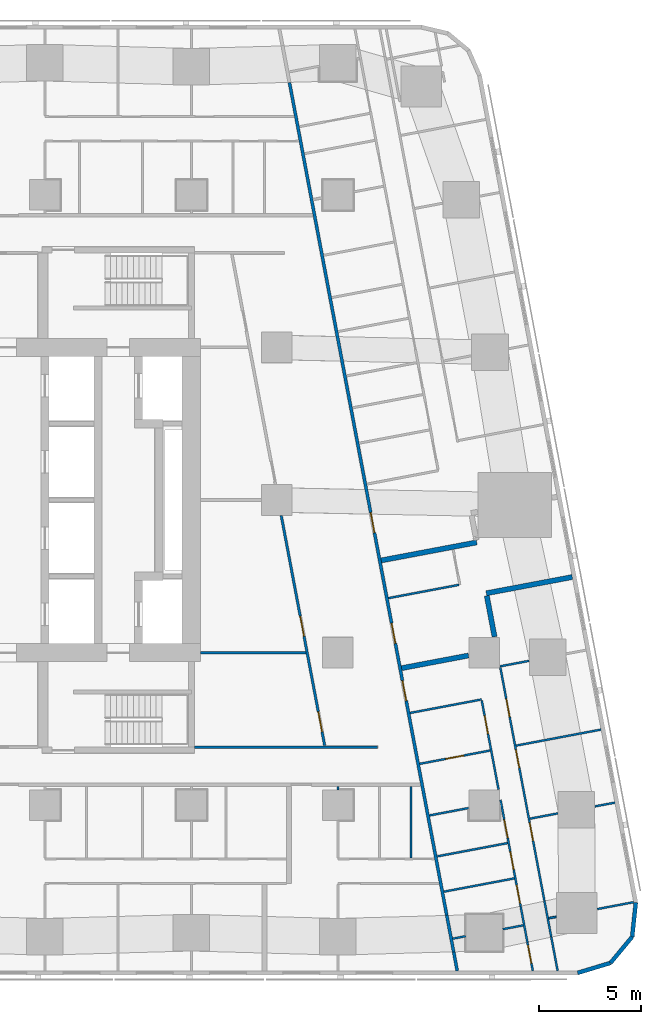
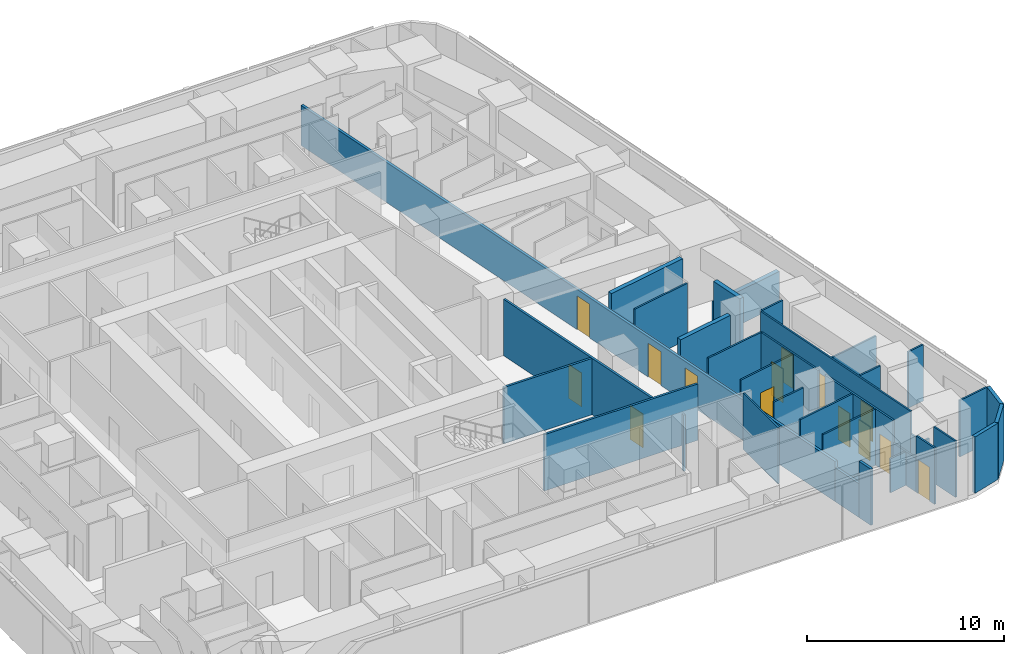
# One storey, part 7 of 15: 36 walls, 14 doors, 14 openings.
"""IFC4 building model written with IfcOpenShell, lengths in metres."""

from ifc_helpers import new_model, si_unit, direction, frame, frame_2d, origin, place, context, subcontext, project, spatial, rectangle, extrude, material, layer, layer_set, type_object, element, fill, save


model = new_model("IFC4")

# Units and contexts
model_context = context("Model", 3, precision=1e-05, world=origin(), true_north=direction((0.0, 1.0)))
body_context = subcontext(model_context, "Body", "Model", "MODEL_VIEW")
ifc_project = project(units=[si_unit("LENGTHUNIT", "METRE"), si_unit("AREAUNIT", "SQUARE_METRE"), si_unit("VOLUMEUNIT", "CUBIC_METRE"), si_unit("PLANEANGLEUNIT", "RADIAN"), si_unit("MASSUNIT", "GRAM", prefix="KILO")], contexts=[model_context])

# Site, building, storey
site_placement = place(None, origin())
site = spatial("IfcSite", under=ifc_project, at=site_placement, CompositionType="ELEMENT")
building_placement = place(site_placement, origin())
building = spatial("IfcBuilding", under=site, at=building_placement, Name="Sheger Commons Tower", CompositionType="ELEMENT")
storey_placement = place(building_placement, frame((0.0, 0.0, 158.300048828125)))
storey = spatial("IfcBuildingStorey", under=building, at=storey_placement, Name="L40", CompositionType="ELEMENT", Elevation=158.300048828125)

# Wall, openings, doors
ifc_material_1 = material(Name="Hollow concrete block masonry, skimmed both sides", Category="masonry")
ifc_layer_1 = layer(ifc_material_1, 0.14990234375)
ifc_layer_set_1 = layer_set([ifc_layer_1], Name="CORRIDOR WALL 150")
wall_type_1 = type_object("IfcWallType", Name="CORRIDOR WALL 150", PredefinedType="SOLIDWALL", material=ifc_layer_set_1)
wall_1_placement = place(storey_placement, frame((33.623046875, 43.02197265625, 0.0), z_axis=(0.0, 0.0, 1.0), x_axis=(0.185596841028, -0.98262597798, 0.0)))
wall_1 = element("IfcWall", 1, at=wall_1_placement, inside=storey, type_object=wall_type_1, Name="Corridor wall L40", PredefinedType="SOLIDWALL", context=body_context, shape_type="SweptSolid", body=[
    extrude(rectangle(XDim=41.659912109375, YDim=0.14990234375, at=frame_2d((20.830078125, 0.0))), origin(), (0.0, 0.0, 1.0), 2.5),
])
opening_1_placement = place(wall_1_placement, frame((21.513916015625, 0.0, 0.0)))
opening_1 = element("IfcOpeningElement", 2, at=opening_1_placement, cuts=wall_1, Name="Opening D1", PredefinedType="OPENING", context=body_context, shape_type="SweptSolid", body=[
    extrude(rectangle(XDim=1.0, YDim=2.10009765625, at=frame_2d((0.5, 1.050048828125))), frame((0.0, 0.0849609375, 0.0), z_axis=(0.0, -1.0, 0.0), x_axis=(1.0, 0.0, 0.0)), (0.0, 0.0, 1.0), 0.169921875),
])
opening_2_placement = place(wall_1_placement, frame((27.06201171875, 0.0, 0.0)))
opening_2 = element("IfcOpeningElement", 3, at=opening_2_placement, cuts=wall_1, Name="Opening D1", PredefinedType="OPENING", context=body_context, shape_type="SweptSolid", body=[
    extrude(rectangle(XDim=1.0, YDim=2.10009765625, at=frame_2d((0.5, 1.050048828125))), frame((0.0, 0.0849609375, 0.0), z_axis=(0.0, -1.0, 0.0), x_axis=(1.0, 0.0, 0.0)), (0.0, 0.0, 1.0), 0.169921875),
])
opening_3_placement = place(wall_1_placement, frame((29.93408203125, 0.0, 0.0)))
opening_3 = element("IfcOpeningElement", 4, at=opening_3_placement, cuts=wall_1, Name="Opening D1", PredefinedType="OPENING", context=body_context, shape_type="SweptSolid", body=[
    extrude(rectangle(XDim=1.0, YDim=2.10009765625, at=frame_2d((0.5, 1.050048828125))), frame((0.0, 0.0849609375, 0.0), z_axis=(0.0, -1.0, 0.0), x_axis=(1.0, 0.0, 0.0)), (0.0, 0.0, 1.0), 0.169921875),
])
ifc_material_2 = material(Name="Steel door set, fire rated", Category="steel")
door_type_1 = type_object("IfcDoorType", Name="FLAT ENTRANCE DOOR 1000x2100", OperationType="NOTDEFINED", PredefinedType="DOOR", material=ifc_material_2)
door_1_placement = place(opening_1_placement, origin())
door_1 = element("IfcDoor", 5, at=door_1_placement, inside=storey, type_object=door_type_1, Name="Flat entrance door", OperationType="SINGLE_SWING_RIGHT", OverallHeight=2.10009765625, OverallWidth=1.0, PredefinedType="DOOR", context=body_context, shape_type="SweptSolid", body=[
    extrude(rectangle(XDim=1.0, YDim=2.10009765625, at=frame_2d((0.5, 1.050048828125))), frame((0.0, 0.02490234375, 0.0), z_axis=(0.0, -1.0, 0.0), x_axis=(1.0, 0.0, 0.0)), (0.0, 0.0, 1.0), 0.050048828125),
])
fill(opening_1, door_1)
door_2_placement = place(opening_2_placement, origin())
door_2 = element("IfcDoor", 6, at=door_2_placement, inside=storey, type_object=door_type_1, Name="Flat entrance door", OperationType="SINGLE_SWING_LEFT", OverallHeight=2.10009765625, OverallWidth=1.0, PredefinedType="DOOR", context=body_context, shape_type="SweptSolid", body=[
    extrude(rectangle(XDim=1.0, YDim=2.10009765625, at=frame_2d((0.5, 1.050048828125))), frame((0.0, 0.02490234375, 0.0), z_axis=(0.0, -1.0, 0.0), x_axis=(1.0, 0.0, 0.0)), (0.0, 0.0, 1.0), 0.050048828125),
])
fill(opening_2, door_2)
door_3_placement = place(opening_3_placement, origin())
door_3 = element("IfcDoor", 7, at=door_3_placement, inside=storey, type_object=door_type_1, Name="Flat entrance door", OperationType="SINGLE_SWING_RIGHT", OverallHeight=2.10009765625, OverallWidth=1.0, PredefinedType="DOOR", context=body_context, shape_type="SweptSolid", body=[
    extrude(rectangle(XDim=1.0, YDim=2.10009765625, at=frame_2d((0.5, 1.050048828125))), frame((0.0, 0.02490234375, 0.0), z_axis=(0.0, -1.0, 0.0), x_axis=(1.0, 0.0, 0.0)), (0.0, 0.0, 1.0), 0.050048828125),
])
fill(opening_3, door_3)

# Walls
wall_2_placement = place(storey_placement, frame((41.35498046875, 2.0859375, 0.0), z_axis=(0.0, 0.0, 1.0), x_axis=(0.185708872674, -0.982604811005, 0.0)))
element("IfcWall", 8, at=wall_2_placement, inside=storey, type_object=wall_type_1, Name="Corridor wall L40", PredefinedType="SOLIDWALL", context=body_context, shape_type="SweptSolid", body=[
    extrude(rectangle(XDim=1.84716796875, YDim=0.14990234375, at=frame_2d((0.923583984375, 0.0))), origin(), (0.0, 0.0, 1.0), 2.099853515625),
])
wall_3_placement = place(storey_placement, frame((41.697998046875, 0.27099609375, 0.0), z_axis=(0.0, 0.0, 1.0), x_axis=(0.185735329995, -0.982599810295, 0.0)))
element("IfcWall", 9, at=wall_3_placement, inside=storey, type_object=wall_type_1, Name="Corridor wall L40", PredefinedType="SOLIDWALL", context=body_context, shape_type="SweptSolid", body=[
    extrude(rectangle(XDim=0.937255859375, YDim=0.14990234375, at=frame_2d((0.46875, 0.0))), origin(), (0.0, 0.0, 1.0), 3.5),
])
ifc_material_3 = material(Name="Dense concrete block masonry, plastered both sides (separating wall between flats)", Category="masonry")
ifc_layer_2 = layer(ifc_material_3, 0.25)
ifc_layer_set_2 = layer_set([ifc_layer_2], Name="DEMISING WALL 250")
wall_type_2 = type_object("IfcWallType", Name="DEMISING WALL 250", PredefinedType="SOLIDWALL", material=ifc_layer_set_2)
wall_4_placement = place(storey_placement, frame((42.8291015625, 20.416015625, 0.0), z_axis=(0.0, 0.0, 1.0), x_axis=(-0.982635807605, -0.185544791394, 0.0)))
element("IfcWall", 10, at=wall_4_placement, inside=storey, type_object=wall_type_2, Name="Demising wall L40", PredefinedType="SOLIDWALL", context=body_context, shape_type="SweptSolid", body=[
    extrude(rectangle(XDim=4.775146484375, YDim=0.25, at=frame_2d((2.3876953125, 0.0))), origin(), (0.0, 0.0, 1.0), 3.5),
])
wall_5_placement = place(storey_placement, frame((47.527099609375, 18.7119140625, 0.0), z_axis=(0.0, 0.0, 1.0), x_axis=(-0.982633535512, -0.185556823879, 0.0)))
element("IfcWall", 11, at=wall_5_placement, inside=storey, type_object=wall_type_2, Name="Demising wall L40", PredefinedType="SOLIDWALL", context=body_context, shape_type="SweptSolid", body=[
    extrude(rectangle(XDim=4.2998046875, YDim=0.25, at=frame_2d((2.14990234375, 0.0))), origin(), (0.0, 0.0, 1.0), 2.099853515625),
])
wall_6_placement = place(storey_placement, frame((42.426025390625, 14.85400390625, 0.0), z_axis=(0.0, 0.0, 1.0), x_axis=(-0.982580325536, -0.185838381047, 0.0)))
element("IfcWall", 12, at=wall_6_placement, inside=storey, type_object=wall_type_2, Name="Demising wall L40", PredefinedType="SOLIDWALL", context=body_context, shape_type="SweptSolid", body=[
    extrude(rectangle(XDim=3.347412109375, YDim=0.25, at=frame_2d((1.673828125, 0.0))), origin(), (0.0, 0.0, 1.0), 3.5),
])
wall_7_placement = place(storey_placement, frame((43.324951171875, 17.791015625, 0.0), z_axis=(0.0, 0.0, 1.0), x_axis=(0.185652708443, -0.982615424186, 0.0)))
element("IfcWall", 13, at=wall_7_placement, inside=storey, type_object=wall_type_2, Name="Demising wall L40", PredefinedType="SOLIDWALL", context=body_context, shape_type="SweptSolid", body=[
    extrude(rectangle(XDim=2.052734375, YDim=0.25, at=frame_2d((1.0263671875, 0.0))), origin(), (0.0, 0.0, 1.0), 3.5),
])
ifc_material_4 = material(Name="Rendered concrete block masonry, dark grey", Category="masonry")
ifc_layer_3 = layer(ifc_material_4, 0.199951171875)
ifc_layer_set_3 = layer_set([ifc_layer_3], Name="FACADE WALL 200")
wall_type_3 = type_object("IfcWallType", Name="FACADE WALL 200", PredefinedType="SOLIDWALL", material=ifc_layer_set_3)
wall_8_placement = place(storey_placement, frame((47.791015625, -0.75, 0.0), z_axis=(0.0, 0.0, 1.0), x_axis=(0.957455232626, 0.288581838509, 0.0)))
element("IfcWall", 14, at=wall_8_placement, inside=storey, type_object=wall_type_3, Name="Facade wall L40", PredefinedType="SOLIDWALL", context=body_context, shape_type="SweptSolid", body=[
    extrude(rectangle(XDim=1.687744140625, YDim=0.199951171875, at=frame_2d((0.84375, 0.0))), origin(), (0.0, 0.0, 1.0), 3.5),
])
wall_9_placement = place(storey_placement, frame((49.406982421875, -0.262939453125, 0.0), z_axis=(0.0, 0.0, 1.0), x_axis=(0.638042593423, 0.770001070764, 0.0)))
element("IfcWall", 15, at=wall_9_placement, inside=storey, type_object=wall_type_3, Name="Facade wall L40", PredefinedType="SOLIDWALL", context=body_context, shape_type="SweptSolid", body=[
    extrude(rectangle(XDim=1.672607421875, YDim=0.199951171875, at=frame_2d((0.83642578125, 0.0))), origin(), (0.0, 0.0, 1.0), 3.5),
])
wall_10_placement = place(storey_placement, frame((50.47412109375, 1.02490234375, 0.0), z_axis=(0.0, 0.0, 1.0), x_axis=(0.106047815515, 0.994361031429, 0.0)))
element("IfcWall", 16, at=wall_10_placement, inside=storey, type_object=wall_type_3, Name="Facade wall L40", PredefinedType="SOLIDWALL", context=body_context, shape_type="SweptSolid", body=[
    extrude(rectangle(XDim=1.6875, YDim=0.199951171875, at=frame_2d((0.84375, 0.0))), origin(), (0.0, 0.0, 1.0), 3.5),
])
ifc_material_5 = material(Name="Gypsum board on steel studs", Category="steel")
ifc_layer_4 = layer(ifc_material_5, 0.10009765625)
ifc_layer_set_4 = layer_set([ifc_layer_4], Name="PARTITION 100")
wall_type_4 = type_object("IfcWallType", Name="PARTITION 100", PredefinedType="PARTITIONING", material=ifc_layer_set_4)
wall_11_placement = place(storey_placement, frame((36.0, 8.2509765625, 0.0), z_axis=(0.0, 0.0, 1.0), x_axis=(0.0, 1.0, 0.0)))
element("IfcWall", 17, at=wall_11_placement, inside=storey, type_object=wall_type_4, Name="Partition L40", PredefinedType="PARTITIONING", context=body_context, shape_type="SweptSolid", body=[
    extrude(rectangle(XDim=0.174072265625, YDim=0.10009765625, at=frame_2d((0.0869140625, 0.0))), origin(), (0.0, 0.0, 1.0), 3.5),
])
for number, where, z_axis, x_axis, name in (
    (18, (39.60009765625, 4.89990234375, 0.0), (0.0, 0.0, 1.0), (0.0, 1.0, 0.0), "Partition L40"),
    (19, (41.951904296875, 18.326904296875, 0.0), (0.0, 0.0, 1.0), (-0.982648794755, -0.185475998897, 0.0), "Partition L40"),
):
    element("IfcWall", number, at=place(storey_placement, frame(where, z_axis=z_axis, x_axis=x_axis)), inside=storey, type_object=wall_type_4, Name=name, PredefinedType="PARTITIONING", context=body_context, shape_type="SweptSolid", body=[
        extrude(rectangle(XDim=3.525146484375, YDim=0.10009765625, at=frame_2d((1.7626953125, 0.0))), origin(), (0.0, 0.0, 1.0), 3.5),
    ])

# Wall, openings, doors
wall_12_placement = place(storey_placement, frame((43.991943359375, 14.259033203125, 0.0), z_axis=(0.0, 0.0, 1.0), x_axis=(0.185567765044, -0.98263146936, 0.0)))
wall_12 = element("IfcWall", 20, at=wall_12_placement, inside=storey, type_object=wall_type_4, Name="Partition L40", PredefinedType="PARTITIONING", context=body_context, shape_type="SweptSolid", body=[
    extrude(rectangle(XDim=11.682861328125, YDim=0.10009765625, at=frame_2d((5.84130859375, 0.0))), origin(), (0.0, 0.0, 1.0), 3.5),
])
opening_4_placement = place(wall_12_placement, frame((1.56689453125, 0.0, 0.0)))
opening_4 = element("IfcOpeningElement", 21, at=opening_4_placement, cuts=wall_12, Name="Opening D2", PredefinedType="OPENING", context=body_context, shape_type="SweptSolid", body=[
    extrude(rectangle(XDim=0.89990234375, YDim=2.10009765625, at=frame_2d((0.449951171875, 1.050048828125))), frame((0.0, 0.06005859375, 0.0), z_axis=(0.0, -1.0, 0.0), x_axis=(1.0, 0.0, 0.0)), (0.0, 0.0, 1.0), 0.1201171875),
])
opening_5_placement = place(wall_12_placement, frame((4.112060546875, 0.0, 0.0)))
opening_5 = element("IfcOpeningElement", 22, at=opening_5_placement, cuts=wall_12, Name="Opening D2", PredefinedType="OPENING", context=body_context, shape_type="SweptSolid", body=[
    extrude(rectangle(XDim=0.89990234375, YDim=2.10009765625, at=frame_2d((0.449951171875, 1.050048828125))), frame((0.0, 0.06005859375, 0.0), z_axis=(0.0, -1.0, 0.0), x_axis=(1.0, 0.0, 0.0)), (0.0, 0.0, 1.0), 0.1201171875),
])
opening_6_placement = place(wall_12_placement, frame((7.76806640625, 0.0, 0.0)))
opening_6 = element("IfcOpeningElement", 23, at=opening_6_placement, cuts=wall_12, Name="Opening D2", PredefinedType="OPENING", context=body_context, shape_type="SweptSolid", body=[
    extrude(rectangle(XDim=0.89990234375, YDim=2.10009765625, at=frame_2d((0.449951171875, 1.050048828125))), frame((0.0, 0.06005859375, 0.0), z_axis=(0.0, -1.0, 0.0), x_axis=(1.0, 0.0, 0.0)), (0.0, 0.0, 1.0), 0.1201171875),
])
ifc_material_6 = material(Name="Timber door set", Category="wood")
door_type_2 = type_object("IfcDoorType", Name="INTERNAL DOOR 900x2100", OperationType="NOTDEFINED", PredefinedType="DOOR", material=ifc_material_6)
door_4_placement = place(opening_4_placement, origin())
door_4 = element("IfcDoor", 24, at=door_4_placement, inside=storey, type_object=door_type_2, Name="Main bedroom door", OperationType="SINGLE_SWING_LEFT", OverallHeight=2.10009765625, OverallWidth=0.89990234375, PredefinedType="DOOR", context=body_context, shape_type="SweptSolid", body=[
    extrude(rectangle(XDim=0.89990234375, YDim=2.10009765625, at=frame_2d((0.449951171875, 1.050048828125))), frame((0.0, 0.02490234375, 0.0), z_axis=(0.0, -1.0, 0.0), x_axis=(1.0, 0.0, 0.0)), (0.0, 0.0, 1.0), 0.050048828125),
])
fill(opening_4, door_4)
door_5_placement = place(opening_5_placement, origin())
door_5 = element("IfcDoor", 25, at=door_5_placement, inside=storey, type_object=door_type_2, Name="Bedroom 2 door", OperationType="SINGLE_SWING_LEFT", OverallHeight=2.10009765625, OverallWidth=0.89990234375, PredefinedType="DOOR", context=body_context, shape_type="SweptSolid", body=[
    extrude(rectangle(XDim=0.89990234375, YDim=2.10009765625, at=frame_2d((0.449951171875, 1.050048828125))), frame((0.0, 0.02490234375, 0.0), z_axis=(0.0, -1.0, 0.0), x_axis=(1.0, 0.0, 0.0)), (0.0, 0.0, 1.0), 0.050048828125),
])
fill(opening_5, door_5)
door_6_placement = place(opening_6_placement, origin())
door_6 = element("IfcDoor", 26, at=door_6_placement, inside=storey, type_object=door_type_2, Name="Bedroom 3 door", OperationType="SINGLE_SWING_LEFT", OverallHeight=2.10009765625, OverallWidth=0.89990234375, PredefinedType="DOOR", context=body_context, shape_type="SweptSolid", body=[
    extrude(rectangle(XDim=0.89990234375, YDim=2.10009765625, at=frame_2d((0.449951171875, 1.050048828125))), frame((0.0, 0.02490234375, 0.0), z_axis=(0.0, -1.0, 0.0), x_axis=(1.0, 0.0, 0.0)), (0.0, 0.0, 1.0), 0.050048828125),
])
fill(opening_6, door_6)

# Walls
wall_13_placement = place(storey_placement, frame((46.159912109375, 2.779052734375, 0.0), z_axis=(0.0, 0.0, 1.0), x_axis=(0.18597295662, -0.982554863306, 0.0)))
element("IfcWall", 27, at=wall_13_placement, inside=storey, type_object=wall_type_4, Name="Partition L40", PredefinedType="PARTITIONING", context=body_context, shape_type="SweptSolid", body=[
    extrude(rectangle(XDim=1.802490234375, YDim=0.10009765625, at=frame_2d((0.9013671875, 0.0))), origin(), (0.0, 0.0, 1.0), 2.099853515625),
])
wall_14_placement = place(storey_placement, frame((46.4951171875, 1.008056640625, 0.0), z_axis=(0.0, 0.0, 1.0), x_axis=(0.185502765063, -0.982643742235, 0.0)))
element("IfcWall", 28, at=wall_14_placement, inside=storey, type_object=wall_type_4, Name="Partition L40", PredefinedType="PARTITIONING", context=body_context, shape_type="SweptSolid", body=[
    extrude(rectangle(XDim=1.687255859375, YDim=0.10009765625, at=frame_2d((0.84375, 0.0))), origin(), (0.0, 0.0, 1.0), 3.5),
])

# Wall, opening, door
wall_15_placement = place(storey_placement, frame((43.075927734375, 12.64404296875, 0.0), z_axis=(0.0, 0.0, 1.0), x_axis=(0.185613232457, -0.982622881851, 0.0)))
wall_15 = element("IfcWall", 29, at=wall_15_placement, inside=storey, type_object=wall_type_4, Name="Partition L40", PredefinedType="PARTITIONING", context=body_context, shape_type="SweptSolid", body=[
    extrude(rectangle(XDim=4.461669921875, YDim=0.10009765625, at=frame_2d((2.23095703125, 0.0))), origin(), (0.0, 0.0, 1.0), 3.5),
])
opening_7_placement = place(wall_15_placement, frame((0.77294921875, 0.0, 0.0)))
opening_7 = element("IfcOpeningElement", 30, at=opening_7_placement, cuts=wall_15, Name="Opening D2", PredefinedType="OPENING", context=body_context, shape_type="SweptSolid", body=[
    extrude(rectangle(XDim=0.89990234375, YDim=2.10009765625, at=frame_2d((0.449951171875, 1.050048828125))), frame((0.0, 0.06005859375, 0.0), z_axis=(0.0, -1.0, 0.0), x_axis=(1.0, 0.0, 0.0)), (0.0, 0.0, 1.0), 0.1201171875),
])
door_7_placement = place(opening_7_placement, origin())
door_7 = element("IfcDoor", 31, at=door_7_placement, inside=storey, type_object=door_type_2, Name="Store and laundry door", OperationType="SINGLE_SWING_RIGHT", OverallHeight=2.10009765625, OverallWidth=0.89990234375, PredefinedType="DOOR", context=body_context, shape_type="SweptSolid", body=[
    extrude(rectangle(XDim=0.89990234375, YDim=2.10009765625, at=frame_2d((0.449951171875, 1.050048828125))), frame((0.0, 0.02490234375, 0.0), z_axis=(0.0, -1.0, 0.0), x_axis=(1.0, 0.0, 0.0)), (0.0, 0.0, 1.0), 0.050048828125),
])
fill(opening_7, door_7)

# Wall, openings, doors
wall_16_placement = place(storey_placement, frame((43.9990234375, 7.756103515625, 0.0), z_axis=(0.0, 0.0, 1.0), x_axis=(0.185701292061, -0.982606243684, 0.0)))
wall_16 = element("IfcWall", 32, at=wall_16_placement, inside=storey, type_object=wall_type_4, Name="Partition L40", PredefinedType="PARTITIONING", context=body_context, shape_type="SweptSolid", body=[
    extrude(rectangle(XDim=5.320556640625, YDim=0.10009765625, at=frame_2d((2.66015625, 0.0))), origin(), (0.0, 0.0, 1.0), 3.5),
])
opening_8_placement = place(wall_16_placement, frame((1.0, 0.0, 0.0)))
opening_8 = element("IfcOpeningElement", 33, at=opening_8_placement, cuts=wall_16, Name="Opening D2", PredefinedType="OPENING", context=body_context, shape_type="SweptSolid", body=[
    extrude(rectangle(XDim=0.89990234375, YDim=2.10009765625, at=frame_2d((0.449951171875, 1.050048828125))), frame((0.0, 0.06005859375, 0.0), z_axis=(0.0, -1.0, 0.0), x_axis=(1.0, 0.0, 0.0)), (0.0, 0.0, 1.0), 0.1201171875),
])
opening_9_placement = place(wall_16_placement, frame((4.27099609375, 0.0, 0.0)))
opening_9 = element("IfcOpeningElement", 34, at=opening_9_placement, cuts=wall_16, Name="Opening D2", PredefinedType="OPENING", context=body_context, shape_type="SweptSolid", body=[
    extrude(rectangle(XDim=0.89990234375, YDim=2.10009765625, at=frame_2d((0.449951171875, 1.050048828125))), frame((0.0, 0.06005859375, 0.0), z_axis=(0.0, -1.0, 0.0), x_axis=(1.0, 0.0, 0.0)), (0.0, 0.0, 1.0), 0.1201171875),
])
opening_10_placement = place(wall_16_placement, frame((2.5859375, 0.0, 0.0)))
opening_10 = element("IfcOpeningElement", 35, at=opening_10_placement, cuts=wall_16, Name="Opening D2", PredefinedType="OPENING", context=body_context, shape_type="SweptSolid", body=[
    extrude(rectangle(XDim=0.89990234375, YDim=2.10009765625, at=frame_2d((0.449951171875, 1.050048828125))), frame((0.0, 0.06005859375, 0.0), z_axis=(0.0, -1.0, 0.0), x_axis=(1.0, 0.0, 0.0)), (0.0, 0.0, 1.0), 0.1201171875),
])
door_8_placement = place(opening_8_placement, origin())
door_8 = element("IfcDoor", 36, at=door_8_placement, inside=storey, type_object=door_type_2, Name="Bathroom door", OperationType="SINGLE_SWING_LEFT", OverallHeight=2.10009765625, OverallWidth=0.89990234375, PredefinedType="DOOR", context=body_context, shape_type="SweptSolid", body=[
    extrude(rectangle(XDim=0.89990234375, YDim=2.10009765625, at=frame_2d((0.449951171875, 1.050048828125))), frame((0.0, 0.02490234375, 0.0), z_axis=(0.0, -1.0, 0.0), x_axis=(1.0, 0.0, 0.0)), (0.0, 0.0, 1.0), 0.050048828125),
])
fill(opening_8, door_8)
door_9_placement = place(opening_9_placement, origin())
door_9 = element("IfcDoor", 37, at=door_9_placement, inside=storey, type_object=door_type_2, Name="Laundry room door", OperationType="SINGLE_SWING_LEFT", OverallHeight=2.10009765625, OverallWidth=0.89990234375, PredefinedType="DOOR", context=body_context, shape_type="SweptSolid", body=[
    extrude(rectangle(XDim=0.89990234375, YDim=2.10009765625, at=frame_2d((0.449951171875, 1.050048828125))), frame((0.0, 0.02490234375, 0.0), z_axis=(0.0, -1.0, 0.0), x_axis=(1.0, 0.0, 0.0)), (0.0, 0.0, 1.0), 0.050048828125),
])
fill(opening_9, door_9)
door_10_placement = place(opening_10_placement, origin())
door_10 = element("IfcDoor", 38, at=door_10_placement, inside=storey, type_object=door_type_2, Name="Store door", OperationType="SINGLE_SWING_LEFT", OverallHeight=2.10009765625, OverallWidth=0.89990234375, PredefinedType="DOOR", context=body_context, shape_type="SweptSolid", body=[
    extrude(rectangle(XDim=0.89990234375, YDim=2.10009765625, at=frame_2d((0.449951171875, 1.050048828125))), frame((0.0, 0.02490234375, 0.0), z_axis=(0.0, -1.0, 0.0), x_axis=(1.0, 0.0, 0.0)), (0.0, 0.0, 1.0), 0.050048828125),
])
fill(opening_10, door_10)

# Wall
wall_17_placement = place(storey_placement, frame((44.987060546875, 2.528076171875, 0.0), z_axis=(0.0, 0.0, 1.0), x_axis=(0.185319006173, -0.98267841431, 0.0)))
element("IfcWall", 39, at=wall_17_placement, inside=storey, type_object=wall_type_4, Name="Partition L40", PredefinedType="PARTITIONING", context=body_context, shape_type="SweptSolid", body=[
    extrude(rectangle(XDim=1.80224609375, YDim=0.10009765625, at=frame_2d((0.901123046875, 0.0))), origin(), (0.0, 0.0, 1.0), 2.099853515625),
])

# Wall, opening, door
wall_18_placement = place(storey_placement, frame((45.321044921875, 0.757080078125, 0.0), z_axis=(0.0, 0.0, 1.0), x_axis=(0.185678113719, -0.982610623841, 0.0)))
wall_18 = element("IfcWall", 40, at=wall_18_placement, inside=storey, type_object=wall_type_4, Name="Partition L40", PredefinedType="PARTITIONING", context=body_context, shape_type="SweptSolid", body=[
    extrude(rectangle(XDim=1.431884765625, YDim=0.10009765625, at=frame_2d((0.7158203125, 0.0))), origin(), (0.0, 0.0, 1.0), 3.5),
])
opening_11_placement = place(wall_18_placement, frame((0.14990234375, 0.0, 0.0)))
opening_11 = element("IfcOpeningElement", 41, at=opening_11_placement, cuts=wall_18, Name="Opening D2", PredefinedType="OPENING", context=body_context, shape_type="SweptSolid", body=[
    extrude(rectangle(XDim=0.89990234375, YDim=2.10009765625, at=frame_2d((0.449951171875, 1.050048828125))), frame((0.0, 0.06005859375, 0.0), z_axis=(0.0, -1.0, 0.0), x_axis=(1.0, 0.0, 0.0)), (0.0, 0.0, 1.0), 0.1201171875),
])
door_11_placement = place(opening_11_placement, origin())
door_11 = element("IfcDoor", 42, at=door_11_placement, inside=storey, type_object=door_type_2, Name="Store and laundry door", OperationType="SINGLE_SWING_RIGHT", OverallHeight=2.10009765625, OverallWidth=0.89990234375, PredefinedType="DOOR", context=body_context, shape_type="SweptSolid", body=[
    extrude(rectangle(XDim=0.89990234375, YDim=2.10009765625, at=frame_2d((0.449951171875, 1.050048828125))), frame((0.0, 0.02490234375, 0.0), z_axis=(0.0, -1.0, 0.0), x_axis=(1.0, 0.0, 0.0)), (0.0, 0.0, 1.0), 0.050048828125),
])
fill(opening_11, door_11)

# Walls
wall_19_placement = place(storey_placement, frame((45.404052734375, 14.591064453125, 0.0), z_axis=(0.0, 0.0, 1.0), x_axis=(-0.982617614942, -0.185641112921, 0.0)))
element("IfcWall", 43, at=wall_19_placement, inside=storey, type_object=wall_type_4, Name="Partition L40", PredefinedType="PARTITIONING", context=body_context, shape_type="SweptSolid", body=[
    extrude(rectangle(XDim=1.44921875, YDim=0.10009765625, at=frame_2d((0.724609375, 0.0))), origin(), (0.0, 0.0, 1.0), 3.5),
])
wall_20_placement = place(storey_placement, frame((48.943115234375, 11.212890625, 0.0), z_axis=(0.0, 0.0, 1.0), x_axis=(-0.982623519589, -0.185609856287, 0.0)))
element("IfcWall", 44, at=wall_20_placement, inside=storey, type_object=wall_type_4, Name="Partition L40", PredefinedType="PARTITIONING", context=body_context, shape_type="SweptSolid", body=[
    extrude(rectangle(XDim=4.249755859375, YDim=0.10009765625, at=frame_2d((2.125, 0.0))), origin(), (0.0, 0.0, 1.0), 2.099853515625),
])
wall_21_placement = place(storey_placement, frame((49.6220703125, 7.6201171875, 0.0), z_axis=(0.0, 0.0, 1.0), x_axis=(-0.982708646087, -0.185158626332, 0.0)))
element("IfcWall", 45, at=wall_21_placement, inside=storey, type_object=wall_type_4, Name="Partition L40", PredefinedType="PARTITIONING", context=body_context, shape_type="SweptSolid", body=[
    extrude(rectangle(XDim=0.99951171875, YDim=0.10009765625, at=frame_2d((0.499755859375, 0.0))), origin(), (0.0, 0.0, 1.0), 3.5),
])
wall_22_placement = place(storey_placement, frame((46.820068359375, 7.091064453125, 0.0), z_axis=(0.0, 0.0, 1.0), x_axis=(-0.982689853246, -0.185258339427, 0.0)))
element("IfcWall", 46, at=wall_22_placement, inside=storey, type_object=wall_type_4, Name="Partition L40", PredefinedType="PARTITIONING", context=body_context, shape_type="SweptSolid", body=[
    extrude(rectangle(XDim=1.398193359375, YDim=0.10009765625, at=frame_2d((0.69921875, 0.0))), origin(), (0.0, 0.0, 1.0), 3.5),
])
wall_23_placement = place(storey_placement, frame((50.547119140625, 2.72607421875, 0.0), z_axis=(0.0, 0.0, 1.0), x_axis=(-0.982603988143, -0.185713226471, 0.0)))
element("IfcWall", 47, at=wall_23_placement, inside=storey, type_object=wall_type_4, Name="Partition L40", PredefinedType="PARTITIONING", context=body_context, shape_type="SweptSolid", body=[
    extrude(rectangle(XDim=1.82080078125, YDim=0.10009765625, at=frame_2d((0.910400390625, 0.0))), origin(), (0.0, 0.0, 1.0), 3.5),
])
wall_24_placement = place(storey_placement, frame((46.738037109375, 2.006103515625, 0.0), z_axis=(0.0, 0.0, 1.0), x_axis=(-0.982820466874, -0.184564161994, 0.0)))
element("IfcWall", 48, at=wall_24_placement, inside=storey, type_object=wall_type_4, Name="Partition L40", PredefinedType="PARTITIONING", context=body_context, shape_type="SweptSolid", body=[
    extrude(rectangle(XDim=0.374267578125, YDim=0.10009765625, at=frame_2d((0.18701171875, 0.0))), origin(), (0.0, 0.0, 1.0), 2.099853515625),
])
wall_25_placement = place(storey_placement, frame((43.06689453125, 12.693115234375, 0.0), z_axis=(0.0, 0.0, 1.0), x_axis=(-0.982598214409, -0.185743772548, 0.0)))
element("IfcWall", 49, at=wall_25_placement, inside=storey, type_object=wall_type_4, Name="Partition L40", PredefinedType="PARTITIONING", context=body_context, shape_type="SweptSolid", body=[
    extrude(rectangle(XDim=3.5751953125, YDim=0.10009765625, at=frame_2d((1.78759765625, 0.0))), origin(), (0.0, 0.0, 1.0), 3.5),
])

# Wall, opening, door
wall_26_placement = place(storey_placement, frame((43.489990234375, 10.18310546875, 0.0), z_axis=(0.0, 0.0, 1.0), x_axis=(-0.982588017646, -0.185797706064, 0.0)))
wall_26 = element("IfcWall", 50, at=wall_26_placement, inside=storey, type_object=wall_type_4, Name="Partition L40", PredefinedType="PARTITIONING", context=body_context, shape_type="SweptSolid", body=[
    extrude(rectangle(XDim=3.525390625, YDim=0.10009765625, at=frame_2d((1.7626953125, 0.0))), origin(), (0.0, 0.0, 1.0), 3.5),
])
opening_12_placement = place(wall_26_placement, frame((1.324951171875, 0.0, 0.0)))
opening_12 = element("IfcOpeningElement", 51, at=opening_12_placement, cuts=wall_26, Name="Opening D2", PredefinedType="OPENING", context=body_context, shape_type="SweptSolid", body=[
    extrude(rectangle(XDim=0.89990234375, YDim=2.10009765625, at=frame_2d((0.449951171875, 1.050048828125))), frame((0.0, 0.06005859375, 0.0), z_axis=(0.0, -1.0, 0.0), x_axis=(1.0, 0.0, 0.0)), (0.0, 0.0, 1.0), 0.1201171875),
])
door_12_placement = place(opening_12_placement, origin())
door_12 = element("IfcDoor", 52, at=door_12_placement, inside=storey, type_object=door_type_2, Name="Store door", OperationType="SINGLE_SWING_LEFT", OverallHeight=2.10009765625, OverallWidth=0.89990234375, PredefinedType="DOOR", context=body_context, shape_type="SweptSolid", body=[
    extrude(rectangle(XDim=0.89990234375, YDim=2.10009765625, at=frame_2d((0.449951171875, 1.050048828125))), frame((0.0, 0.02490234375, 0.0), z_axis=(0.0, -1.0, 0.0), x_axis=(1.0, 0.0, 0.0)), (0.0, 0.0, 1.0), 0.050048828125),
])
fill(opening_12, door_12)

# Walls
wall_27_placement = place(storey_placement, frame((42.43994140625, 7.35693359375, 0.0), z_axis=(0.0, 0.0, 1.0), x_axis=(-0.982581871375, -0.185830207569, 0.0)))
element("IfcWall", 53, at=wall_27_placement, inside=storey, type_object=wall_type_4, Name="Partition L40", PredefinedType="PARTITIONING", context=body_context, shape_type="SweptSolid", body=[
    extrude(rectangle(XDim=1.969482421875, YDim=0.10009765625, at=frame_2d((0.98486328125, 0.0))), origin(), (0.0, 0.0, 1.0), 3.5),
])
wall_28_placement = place(storey_placement, frame((45.114013671875, 1.5869140625, 0.0), z_axis=(0.0, 0.0, 1.0), x_axis=(-0.982567886437, -0.185904138047, 0.0)))
element("IfcWall", 54, at=wall_28_placement, inside=storey, type_object=wall_type_4, Name="Partition L40", PredefinedType="PARTITIONING", context=body_context, shape_type="SweptSolid", body=[
    extrude(rectangle(XDim=1.021728515625, YDim=0.10009765625, at=frame_2d((0.5107421875, 0.0))), origin(), (0.0, 0.0, 1.0), 2.099853515625),
])
wall_29_placement = place(storey_placement, frame((42.2900390625, 1.052978515625, 0.0), z_axis=(0.0, 0.0, 1.0), x_axis=(-0.982573945355, -0.185872111707, 0.0)))
element("IfcWall", 55, at=wall_29_placement, inside=storey, type_object=wall_type_4, Name="Partition L40", PredefinedType="PARTITIONING", context=body_context, shape_type="SweptSolid", body=[
    extrude(rectangle(XDim=0.651611328125, YDim=0.10009765625, at=frame_2d((0.32568359375, 0.0))), origin(), (0.0, 0.0, 1.0), 2.099853515625),
])
for number, where, z_axis, x_axis, name in (
    (56, (44.677001953125, 3.89599609375, 0.0), (0.0, 0.0, 1.0), (-0.982638553676, -0.185530247748, 0.0), "Partition L40"),
    (57, (44.35009765625, 5.631103515625, 0.0), (0.0, 0.0, 1.0), (-0.982638553676, -0.185530247748, 0.0), "Partition L40"),
):
    element("IfcWall", number, at=place(storey_placement, frame(where, z_axis=z_axis, x_axis=x_axis)), inside=storey, type_object=wall_type_4, Name=name, PredefinedType="PARTITIONING", context=body_context, shape_type="SweptSolid", body=[
        extrude(rectangle(XDim=3.525390625, YDim=0.10009765625, at=frame_2d((1.7626953125, 0.0))), origin(), (0.0, 0.0, 1.0), 3.5),
    ])
ifc_material_7 = material(Name="Gypsum board on steel studs, two layers each side, fire rated", Category="steel")
ifc_layer_5 = layer(ifc_material_7, 0.125)
ifc_layer_set_5 = layer_set([ifc_layer_5], Name="SERVICE WALL 125")
wall_type_5 = type_object("IfcWallType", Name="SERVICE WALL 125", PredefinedType="PARTITIONING", material=ifc_layer_set_5)
wall_30_placement = place(storey_placement, frame((28.949951171875, 10.35009765625, 0.0), z_axis=(0.0, 0.0, 1.0), x_axis=(1.0, 0.0, 0.0)))
element("IfcWall", 58, at=wall_30_placement, inside=storey, type_object=wall_type_5, Name="Service room wall L40", PredefinedType="PARTITIONING", context=body_context, shape_type="SweptSolid", body=[
    extrude(rectangle(XDim=9.012939453125, YDim=0.125, at=frame_2d((4.50634765625, 0.0))), origin(), (0.0, 0.0, 1.0), 3.5),
])

# Wall, openings, doors
wall_31_placement = place(storey_placement, frame((35.35400390625, 10.424072265625, 0.0), z_axis=(0.0, 0.0, 1.0), x_axis=(-0.185612234763, 0.982623070311, 0.0)))
wall_31 = element("IfcWall", 59, at=wall_31_placement, inside=storey, type_object=wall_type_5, Name="Service room wall L40", PredefinedType="PARTITIONING", context=body_context, shape_type="SweptSolid", body=[
    extrude(rectangle(XDim=11.512939453125, YDim=0.125, at=frame_2d((5.75634765625, 0.0))), origin(), (0.0, 0.0, 1.0), 3.5),
])
opening_13_placement = place(wall_31_placement, frame((0.697021484375, 0.0, 0.0)))
opening_13 = element("IfcOpeningElement", 60, at=opening_13_placement, cuts=wall_31, Name="Opening D4", PredefinedType="OPENING", context=body_context, shape_type="SweptSolid", body=[
    extrude(rectangle(XDim=1.0, YDim=2.10009765625, at=frame_2d((0.5, 1.050048828125))), frame((0.0, 0.072509765625, 0.0), z_axis=(0.0, -1.0, 0.0), x_axis=(1.0, 0.0, 0.0)), (0.0, 0.0, 1.0), 0.14501953125),
])
opening_14_placement = place(wall_31_placement, frame((5.47998046875, 0.0, 0.0)))
opening_14 = element("IfcOpeningElement", 61, at=opening_14_placement, cuts=wall_31, Name="Opening D4", PredefinedType="OPENING", context=body_context, shape_type="SweptSolid", body=[
    extrude(rectangle(XDim=1.0, YDim=2.10009765625, at=frame_2d((0.5, 1.050048828125))), frame((0.0, 0.072509765625, 0.0), z_axis=(0.0, -1.0, 0.0), x_axis=(1.0, 0.0, 0.0)), (0.0, 0.0, 1.0), 0.14501953125),
])
ifc_material_8 = material(Name="Steel door set, fire rated", Category="steel")
door_type_3 = type_object("IfcDoorType", Name="SERVICE DOOR 1000x2100", OperationType="NOTDEFINED", PredefinedType="DOOR", material=ifc_material_8)
door_13_placement = place(opening_13_placement, origin())
door_13 = element("IfcDoor", 62, at=door_13_placement, inside=storey, type_object=door_type_3, Name="Residents' study room door", OperationType="SINGLE_SWING_LEFT", OverallHeight=2.10009765625, OverallWidth=1.0, PredefinedType="DOOR", context=body_context, shape_type="SweptSolid", body=[
    extrude(rectangle(XDim=1.0, YDim=2.10009765625, at=frame_2d((0.5, 1.050048828125))), frame((0.0, 0.02490234375, 0.0), z_axis=(0.0, -1.0, 0.0), x_axis=(1.0, 0.0, 0.0)), (0.0, 0.0, 1.0), 0.050048828125),
])
fill(opening_13, door_13)
door_14_placement = place(opening_14_placement, origin())
door_14 = element("IfcDoor", 63, at=door_14_placement, inside=storey, type_object=door_type_3, Name="Bicycle and pram store door", OperationType="SINGLE_SWING_LEFT", OverallHeight=2.10009765625, OverallWidth=1.0, PredefinedType="DOOR", context=body_context, shape_type="SweptSolid", body=[
    extrude(rectangle(XDim=1.0, YDim=2.10009765625, at=frame_2d((0.5, 1.050048828125))), frame((0.0, 0.02490234375, 0.0), z_axis=(0.0, -1.0, 0.0), x_axis=(1.0, 0.0, 0.0)), (0.0, 0.0, 1.0), 0.050048828125),
])
fill(opening_14, door_14)

# Wall
wall_32_placement = place(storey_placement, frame((29.25, 15.0, 0.0), z_axis=(0.0, 0.0, 1.0), x_axis=(1.0, 0.0, 0.0)))
element("IfcWall", 64, at=wall_32_placement, inside=storey, type_object=wall_type_5, Name="Service room wall L40", PredefinedType="PARTITIONING", context=body_context, shape_type="SweptSolid", body=[
    extrude(rectangle(XDim=5.176025390625, YDim=0.125, at=frame_2d((2.587890625, 0.0))), origin(), (0.0, 0.0, 1.0), 3.5),
])

save(model, "model.ifc")
